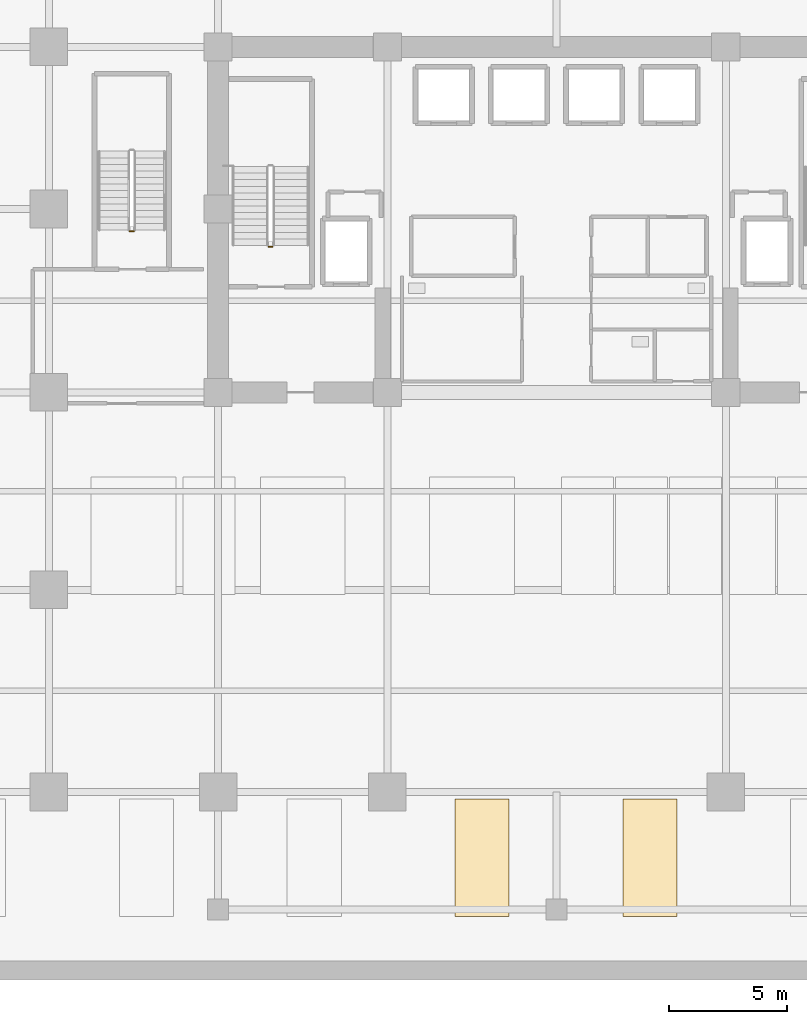
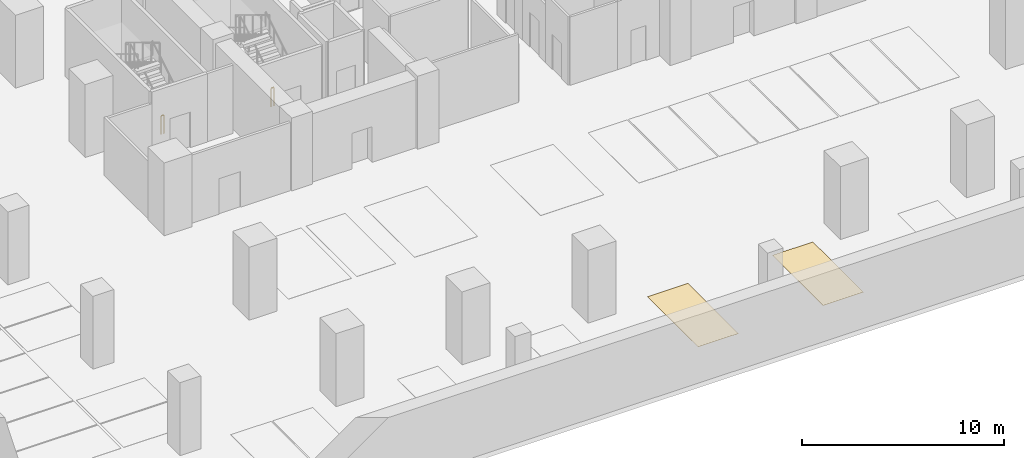
# One storey, part 8 of 13: 2 coverings, 2 railings.
"""IFC4 building model written with IfcOpenShell, lengths in metres."""

from ifc_helpers import new_model, si_unit, direction, frame, origin, origin_2d, place, context, subcontext, project, spatial, polyline, rectangle, outline, extrude, material, layer, layer_set, type_object, element, save


model = new_model("IFC4")

# Units and contexts
model_context = context("Model", 3, precision=1e-05, world=origin(), true_north=direction((0.0, 1.0)))
body_context = subcontext(model_context, "Body", "Model", "MODEL_VIEW")
ifc_project = project(units=[si_unit("LENGTHUNIT", "METRE"), si_unit("AREAUNIT", "SQUARE_METRE"), si_unit("VOLUMEUNIT", "CUBIC_METRE"), si_unit("PLANEANGLEUNIT", "RADIAN"), si_unit("MASSUNIT", "GRAM", prefix="KILO")], contexts=[model_context])

# Site, building, storey
site_placement = place(None, origin())
site = spatial("IfcSite", under=ifc_project, at=site_placement, CompositionType="ELEMENT")
building_placement = place(site_placement, origin())
building = spatial("IfcBuilding", under=site, at=building_placement, Name="Zarnakvel Exchange Tower", CompositionType="ELEMENT")
storey_placement = place(building_placement, frame((0.0, 0.0, -8.800048828125)))
storey = spatial("IfcBuildingStorey", under=building, at=storey_placement, Name="B02", CompositionType="ELEMENT", Elevation=-8.800048828125)

# Coverings
ifc_material_1 = material(Name="Thermoplastic Acrylic Bay Marking", Category="finish")
ifc_layer = layer(ifc_material_1, 0.010009765625)
ifc_layer_set = layer_set([ifc_layer], Name="Thermoplastic Acrylic Bay Marking")
covering_type = type_object("IfcCoveringType", Name="MK-01", PredefinedType="FLOORING", material=ifc_layer_set)
covering_1_placement = place(storey_placement, origin())
element("IfcCovering", 1, at=covering_1_placement, inside=storey, type_object=covering_type, Name="B02 Standard Parking Bay Marking B02-08", PredefinedType="FLOORING", context=body_context, shape_type="SweptSolid", body=[
    extrude(outline(polyline([(-4.320068359375, -23.5), (-2.02001953125, -23.5), (-2.02001953125, -18.5), (-4.320068359375, -18.5), (-4.320068359375, -23.5)])), origin(), (0.0, 0.0, 1.0), 0.010009765625),
])
covering_2_placement = place(storey_placement, origin())
element("IfcCovering", 2, at=covering_2_placement, inside=storey, type_object=covering_type, Name="B02 Standard Parking Bay Marking B02-09", PredefinedType="FLOORING", context=body_context, shape_type="SweptSolid", body=[
    extrude(outline(polyline([(2.820068359375, -23.5), (5.1201171875, -23.5), (5.1201171875, -18.5), (2.820068359375, -18.5), (2.820068359375, -23.5)])), origin(), (0.0, 0.0, 1.0), 0.010009765625),
])

# Railings
ifc_material_2 = material(Name="Architectural Bronze Anodised Aluminium", Category="aluminium")
railing_type = type_object("IfcRailingType", Name="SG-01", PredefinedType="GUARDRAIL", material=ifc_material_2)
for number, where, name in (
    (3, (-12.090087890625, 5.0, 0.0), "B02 ST-01 stair guard 4"),
    (4, (-17.989990234375, 5.64990234375, 0.0), "B02 ST-05 stair guard 4"),
):
    element("IfcRailing", number, at=place(storey_placement, frame(where)), inside=storey, type_object=railing_type, Name=name, PredefinedType="GUARDRAIL", context=body_context, shape_type="SweptSolid", body=[
        extrude(rectangle(XDim=0.048095703125, YDim=0.048095703125, at=origin_2d()), frame((0.0, 0.0, 1.1259765625), z_axis=(-1.0, 0.0, 0.0), x_axis=(0.0, -1.0, 0.0)), (0.0, 0.0, 1.0), 0.159912109375),
        extrude(rectangle(XDim=0.0419921875, YDim=0.0419921875, at=origin_2d()), origin(), (0.0, 0.0, 1.0), 1.101806640625),
        extrude(rectangle(XDim=0.0419921875, YDim=0.0419921875, at=origin_2d()), frame((-0.159912109375, 0.0, 0.0)), (0.0, 0.0, 1.0), 1.101806640625),
    ])

save(model, "model.ifc")
